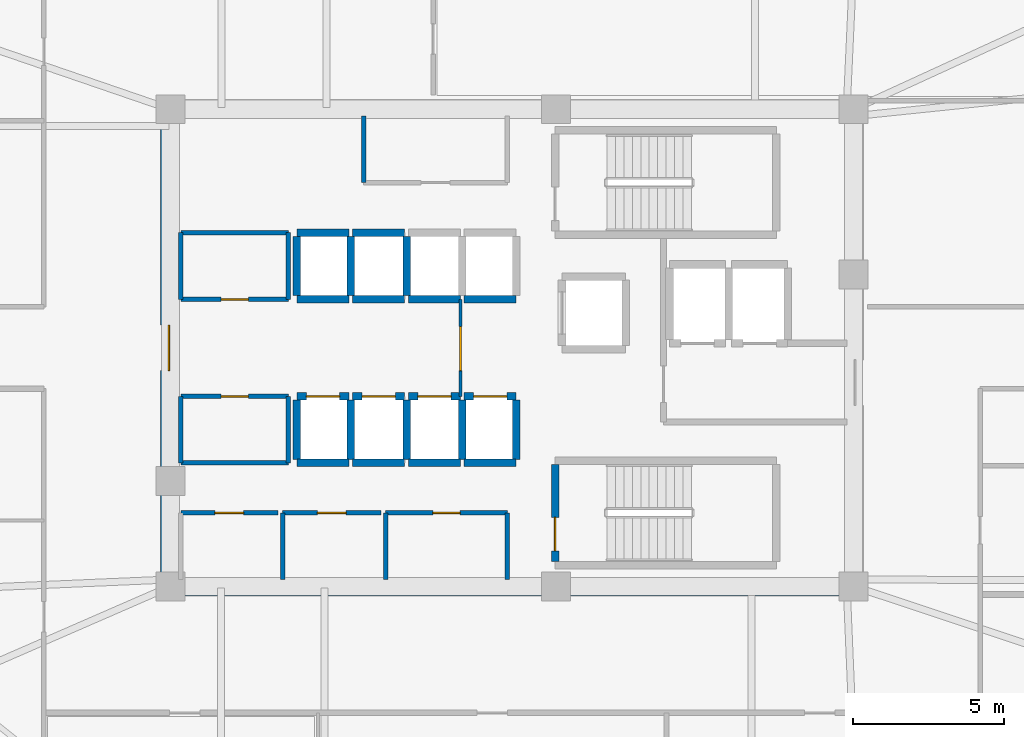
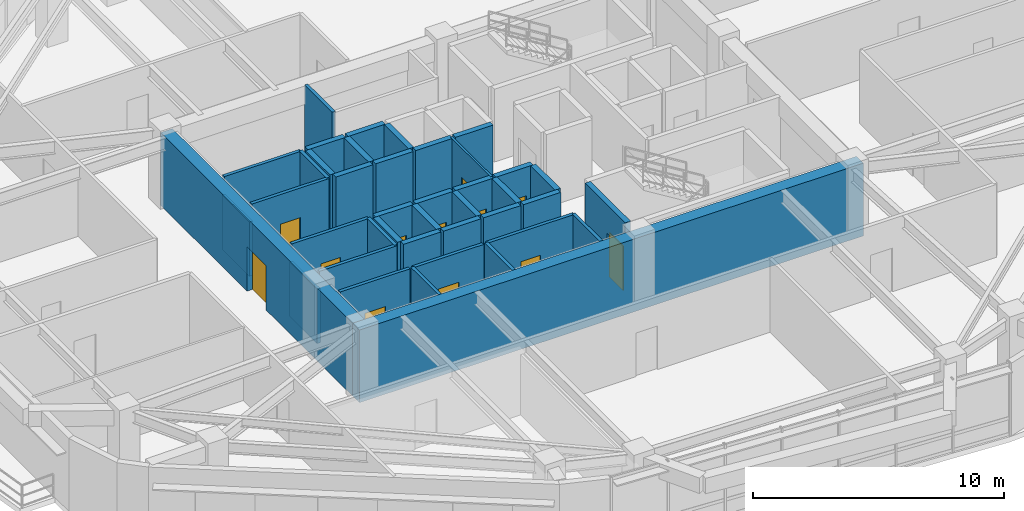
# One storey, part 9 of 14: 41 walls, 12 doors, 12 openings.
"""IFC4 building model written with IfcOpenShell, lengths in metres."""

from ifc_helpers import new_model, si_unit, direction, frame, frame_2d, origin, place, context, subcontext, project, spatial, rectangle, extrude, material, layer, layer_set, type_object, element, fill, save


model = new_model("IFC4")

# Units and contexts
model_context = context("Model", 3, precision=1e-05, world=origin(), true_north=direction((0.0, 1.0)))
body_context = subcontext(model_context, "Body", "Model", "MODEL_VIEW")
ifc_project = project(units=[si_unit("LENGTHUNIT", "METRE"), si_unit("AREAUNIT", "SQUARE_METRE"), si_unit("VOLUMEUNIT", "CUBIC_METRE"), si_unit("PLANEANGLEUNIT", "RADIAN"), si_unit("MASSUNIT", "GRAM", prefix="KILO")], contexts=[model_context])

# Site, building, storey
site_placement = place(None, origin())
site = spatial("IfcSite", under=ifc_project, at=site_placement, CompositionType="ELEMENT")
building_placement = place(site_placement, origin())
building = spatial("IfcBuilding", under=site, at=building_placement, Name="Zulverin Broadcast Headquarters", CompositionType="ELEMENT")
storey_placement = place(building_placement, frame((0.0, 0.0, 208.60009765625)))
storey = spatial("IfcBuildingStorey", under=building, at=storey_placement, Name="L53", CompositionType="ELEMENT", Elevation=208.60009765625)

# Wall
ifc_material_1 = material(Name="Concrete C60/75", Category="concrete")
ifc_layer_1 = layer(ifc_material_1, 0.550048828125, Name="Concrete C60/75", Category="concrete")
ifc_layer_set_1 = layer_set([ifc_layer_1], Name="Concrete C60/75")
wall_type_1 = type_object("IfcWallType", Name="WL-CORE-550", PredefinedType="SHEAR", material=ifc_layer_set_1)
wall_1_placement = place(storey_placement, frame((25.39990234375, 17.27490234375, 0.0), z_axis=(0.0, 0.0, 1.0), x_axis=(1.0, 0.0, 0.0)))
element("IfcWall", 1, at=wall_1_placement, inside=storey, type_object=wall_type_1, Name="L53 Core South Shear Wall", PredefinedType="SHEAR", context=body_context, shape_type="SweptSolid", body=[
    extrude(rectangle(XDim=23.2001953125, YDim=0.550048828125, at=frame_2d((11.60009765625, 0.0))), origin(), (0.0, 0.0, 1.0), 3.539794921875),
])

# Wall, opening, door
wall_2_placement = place(storey_placement, frame((25.675048828125, 17.550048828125, 0.0), z_axis=(0.0, 0.0, 1.0), x_axis=(0.0, 1.0, 0.0)))
wall_2 = element("IfcWall", 2, at=wall_2_placement, inside=storey, type_object=wall_type_1, Name="L53 Core West Shear Wall", PredefinedType="SHEAR", context=body_context, shape_type="SweptSolid", body=[
    extrude(rectangle(XDim=15.300048828125, YDim=0.550048828125, at=frame_2d((7.64990234375, 0.0))), origin(), (0.0, 0.0, 1.0), 3.539794921875),
])
opening_1_placement = place(wall_2_placement, frame((6.89990234375, 0.0, 0.0)))
opening_1 = element("IfcOpeningElement", 3, at=opening_1_placement, cuts=wall_2, Name="Opening D-L53-CW1", PredefinedType="OPENING", context=body_context, shape_type="SweptSolid", body=[
    extrude(rectangle(XDim=1.5, YDim=2.14990234375, at=frame_2d((0.75, 1.074951171875))), frame((0.0, 0.284912109375, 0.0), z_axis=(0.0, -1.0, 0.0), x_axis=(1.0, 0.0, 0.0)), (0.0, 0.0, 1.0), 0.570068359375),
])
ifc_material_2 = material(Name="Fire-rated glazed steel frame", Category="steel")
door_type_1 = type_object("IfcDoorType", Name="DR-COR-1500", OperationType="DOUBLE_DOOR_SINGLE_SWING", PredefinedType="DOOR", material=ifc_material_2)
door_1_placement = place(opening_1_placement, origin())
door_1 = element("IfcDoor", 4, at=door_1_placement, inside=storey, type_object=door_type_1, Name="L53 Central Lift Lobby West Portal Door", OperationType="DOUBLE_DOOR_SINGLE_SWING", OverallHeight=2.14990234375, OverallWidth=1.5, PredefinedType="DOOR", context=body_context, shape_type="SweptSolid", body=[
    extrude(rectangle(XDim=1.5, YDim=2.14990234375, at=frame_2d((0.75, 1.074951171875))), frame((0.0, 0.02490234375, 0.0), z_axis=(0.0, -1.0, 0.0), x_axis=(1.0, 0.0, 0.0)), (0.0, 0.0, 1.0), 0.050048828125),
])
fill(opening_1, door_1)

ifc_material_3 = material(Name="Fire-rated acoustic laminated glass screen", Category="glass")
ifc_layer_2 = layer(ifc_material_3, 0.10009765625, Name="Fire-rated acoustic laminated glass screen", Category="glass")
ifc_layer_set_2 = layer_set([ifc_layer_2], Name="Fire-rated acoustic laminated glass screen")
wall_type_2 = type_object("IfcWallType", Name="WL-GLAZ-100", PredefinedType="PARTITIONING", material=ifc_layer_set_2)
wall_3_placement = place(storey_placement, frame((35.300048828125, 23.60009765625, 0.0), z_axis=(0.0, 0.0, 1.0), x_axis=(0.0, 1.0, 0.0)))
wall_3 = element("IfcWall", 5, at=wall_3_placement, inside=storey, type_object=wall_type_2, Name="L53 Central Core Smoke Vestibule Screen", PredefinedType="PARTITIONING", context=body_context, shape_type="SweptSolid", body=[
    extrude(rectangle(XDim=3.199951171875, YDim=0.10009765625, at=frame_2d((1.60009765625, 0.0))), origin(), (0.0, 0.0, 1.0), 3.539794921875),
])
opening_2_placement = place(wall_3_placement, frame((0.85009765625, 0.0, 0.0)))
opening_2 = element("IfcOpeningElement", 6, at=opening_2_placement, cuts=wall_3, Name="Opening D-L53-CL2", PredefinedType="OPENING", context=body_context, shape_type="SweptSolid", body=[
    extrude(rectangle(XDim=1.449951171875, YDim=2.1201171875, at=frame_2d((0.72509765625, 1.06005859375))), frame((0.0, 0.06005859375, 0.0), z_axis=(0.0, -1.0, 0.0), x_axis=(1.0, 0.0, 0.0)), (0.0, 0.0, 1.0), 0.1201171875),
])
ifc_material_4 = material(Name="Fire-rated acoustic glazed double leaf", Category="glass")
door_type_2 = type_object("IfcDoorType", Name="DR-GLZ-1450", OperationType="DOUBLE_DOOR_SINGLE_SWING", PredefinedType="DOOR", material=ifc_material_4)
door_2_placement = place(opening_2_placement, origin())
door_2 = element("IfcDoor", 7, at=door_2_placement, inside=storey, type_object=door_type_2, Name="L53 Central Core Smoke Vestibule Door", OperationType="DOUBLE_DOOR_SINGLE_SWING", OverallHeight=2.1201171875, OverallWidth=1.449951171875, PredefinedType="DOOR", context=body_context, shape_type="SweptSolid", body=[
    extrude(rectangle(XDim=1.449951171875, YDim=2.1201171875, at=frame_2d((0.72509765625, 1.06005859375))), frame((0.0, 0.02490234375, 0.0), z_axis=(0.0, -1.0, 0.0), x_axis=(1.0, 0.0, 0.0)), (0.0, 0.0, 1.0), 0.050048828125),
])
fill(opening_2, door_2)

# Wall
ifc_material_5 = material(Name="Fire-rated gypsum stud partition", Category="gypsum")
ifc_layer_3 = layer(ifc_material_5, 0.14990234375, Name="Fire-rated gypsum stud partition", Category="gypsum")
ifc_layer_set_3 = layer_set([ifc_layer_3], Name="Fire-rated gypsum stud partition")
wall_type_3 = type_object("IfcWallType", Name="WL-PART-150", PredefinedType="PARTITIONING", material=ifc_layer_set_3)
wall_4_placement = place(storey_placement, frame((32.10009765625, 30.64990234375, 0.0), z_axis=(0.0, 0.0, 1.0), x_axis=(0.0, 1.0, 0.0)))
element("IfcWall", 8, at=wall_4_placement, inside=storey, type_object=wall_type_3, Name="L53 Core Accessible WC & Electrical Riser West Wall", PredefinedType="PARTITIONING", context=body_context, shape_type="SweptSolid", body=[
    extrude(rectangle(XDim=2.2001953125, YDim=0.14990234375, at=frame_2d((1.10009765625, 0.0))), origin(), (0.0, 0.0, 1.0), 3.539794921875),
])

# Wall, opening, door
wall_5_placement = place(storey_placement, frame((26.070068359375, 19.75, 0.0), z_axis=(0.0, 0.0, 1.0), x_axis=(1.0, 0.0, 0.0)))
wall_5 = element("IfcWall", 9, at=wall_5_placement, inside=storey, type_object=wall_type_3, Name="L53 Core Male WC Front Wall", PredefinedType="PARTITIONING", context=body_context, shape_type="SweptSolid", body=[
    extrude(rectangle(XDim=3.199951171875, YDim=0.14990234375, at=frame_2d((1.60009765625, 0.0))), origin(), (0.0, 0.0, 1.0), 3.539794921875),
])
opening_3_placement = place(wall_5_placement, frame((1.125, 0.0, 0.0)))
opening_3 = element("IfcOpeningElement", 10, at=opening_3_placement, cuts=wall_5, Name="Opening D-L53-SC1", PredefinedType="OPENING", context=body_context, shape_type="SweptSolid", body=[
    extrude(rectangle(XDim=0.949951171875, YDim=2.10009765625, at=frame_2d((0.47509765625, 1.050048828125))), frame((0.0, 0.0849609375, 0.0), z_axis=(0.0, -1.0, 0.0), x_axis=(1.0, 0.0, 0.0)), (0.0, 0.0, 1.0), 0.169921875),
])
ifc_material_6 = material(Name="Fire-rated moisture-resistant laminate leaf", Category="wood")
door_type_3 = type_object("IfcDoorType", Name="DR-WC-950", OperationType="SINGLE_SWING_LEFT", PredefinedType="DOOR", material=ifc_material_6)
door_3_placement = place(opening_3_placement, origin())
door_3 = element("IfcDoor", 11, at=door_3_placement, inside=storey, type_object=door_type_3, Name="L53 Male WC Door", OperationType="SINGLE_SWING_RIGHT", OverallHeight=2.10009765625, OverallWidth=0.949951171875, PredefinedType="DOOR", context=body_context, shape_type="SweptSolid", body=[
    extrude(rectangle(XDim=0.949951171875, YDim=2.10009765625, at=frame_2d((0.47509765625, 1.050048828125))), frame((0.0, 0.02490234375, 0.0), z_axis=(0.0, -1.0, 0.0), x_axis=(1.0, 0.0, 0.0)), (0.0, 0.0, 1.0), 0.050048828125),
])
fill(opening_3, door_3)

wall_6_placement = place(storey_placement, frame((29.429931640625, 19.75, 0.0), z_axis=(0.0, 0.0, 1.0), x_axis=(1.0, 0.0, 0.0)))
wall_6 = element("IfcWall", 12, at=wall_6_placement, inside=storey, type_object=wall_type_3, Name="L53 Core Female WC Front Wall", PredefinedType="PARTITIONING", context=body_context, shape_type="SweptSolid", body=[
    extrude(rectangle(XDim=3.239990234375, YDim=0.14990234375, at=frame_2d((1.6201171875, 0.0))), origin(), (0.0, 0.0, 1.0), 3.539794921875),
])
opening_4_placement = place(wall_6_placement, frame((1.14501953125, 0.0, 0.0)))
opening_4 = element("IfcOpeningElement", 13, at=opening_4_placement, cuts=wall_6, Name="Opening D-L53-SC2", PredefinedType="OPENING", context=body_context, shape_type="SweptSolid", body=[
    extrude(rectangle(XDim=0.949951171875, YDim=2.10009765625, at=frame_2d((0.47509765625, 1.050048828125))), frame((0.0, 0.0849609375, 0.0), z_axis=(0.0, -1.0, 0.0), x_axis=(1.0, 0.0, 0.0)), (0.0, 0.0, 1.0), 0.169921875),
])
door_4_placement = place(opening_4_placement, origin())
door_4 = element("IfcDoor", 14, at=door_4_placement, inside=storey, type_object=door_type_3, Name="L53 Female WC Door", OperationType="SINGLE_SWING_LEFT", OverallHeight=2.10009765625, OverallWidth=0.949951171875, PredefinedType="DOOR", context=body_context, shape_type="SweptSolid", body=[
    extrude(rectangle(XDim=0.949951171875, YDim=2.10009765625, at=frame_2d((0.47509765625, 1.050048828125))), frame((0.0, 0.02490234375, 0.0), z_axis=(0.0, -1.0, 0.0), x_axis=(1.0, 0.0, 0.0)), (0.0, 0.0, 1.0), 0.050048828125),
])
fill(opening_4, door_4)

# Wall
wall_7_placement = place(storey_placement, frame((29.429931640625, 17.550048828125, 0.0), z_axis=(0.0, 0.0, 1.0), x_axis=(0.0, 1.0, 0.0)))
element("IfcWall", 15, at=wall_7_placement, inside=storey, type_object=wall_type_3, Name="L53 Core Female WC West Wall", PredefinedType="PARTITIONING", context=body_context, shape_type="SweptSolid", body=[
    extrude(rectangle(XDim=2.199951171875, YDim=0.14990234375, at=frame_2d((1.10009765625, 0.0))), origin(), (0.0, 0.0, 1.0), 3.539794921875),
])

# Wall, opening, door
wall_8_placement = place(storey_placement, frame((32.830078125, 19.75, 0.0), z_axis=(0.0, 0.0, 1.0), x_axis=(1.0, 0.0, 0.0)))
wall_8 = element("IfcWall", 16, at=wall_8_placement, inside=storey, type_object=wall_type_3, Name="L53 Core Cleaner Store Front Wall", PredefinedType="PARTITIONING", context=body_context, shape_type="SweptSolid", body=[
    extrude(rectangle(XDim=4.02001953125, YDim=0.14990234375, at=frame_2d((2.010009765625, 0.0))), origin(), (0.0, 0.0, 1.0), 3.539794921875),
])
opening_5_placement = place(wall_8_placement, frame((1.56005859375, 0.0, 0.0)))
opening_5 = element("IfcOpeningElement", 17, at=opening_5_placement, cuts=wall_8, Name="Opening D-L53-SC3", PredefinedType="OPENING", context=body_context, shape_type="SweptSolid", body=[
    extrude(rectangle(XDim=0.89990234375, YDim=2.10009765625, at=frame_2d((0.449951171875, 1.050048828125))), frame((0.0, 0.0849609375, 0.0), z_axis=(0.0, -1.0, 0.0), x_axis=(1.0, 0.0, 0.0)), (0.0, 0.0, 1.0), 0.169921875),
])
ifc_material_7 = material(Name="Powder-coated steel access leaf", Category="steel")
door_type_4 = type_object("IfcDoorType", Name="DR-RISER-900", OperationType="SINGLE_SWING_LEFT", PredefinedType="DOOR", material=ifc_material_7)
door_5_placement = place(opening_5_placement, origin())
door_5 = element("IfcDoor", 18, at=door_5_placement, inside=storey, type_object=door_type_4, Name="L53 Cleaner Store Door", OperationType="SINGLE_SWING_RIGHT", OverallHeight=2.10009765625, OverallWidth=0.89990234375, PredefinedType="DOOR", context=body_context, shape_type="SweptSolid", body=[
    extrude(rectangle(XDim=0.89990234375, YDim=2.10009765625, at=frame_2d((0.449951171875, 1.050048828125))), frame((0.0, 0.02490234375, 0.0), z_axis=(0.0, -1.0, 0.0), x_axis=(1.0, 0.0, 0.0)), (0.0, 0.0, 1.0), 0.050048828125),
])
fill(opening_5, door_5)

# Walls
for number, where, z_axis, x_axis, name in (
    (19, (32.830078125, 17.550048828125, 0.0), (0.0, 0.0, 1.0), (0.0, 1.0, 0.0), "L53 Core Cleaner Store West Wall"),
    (20, (36.85009765625, 17.550048828125, 0.0), (0.0, 0.0, 1.0), (0.0, 1.0, 0.0), "L53 Core Cleaner Store East Wall"),
):
    element("IfcWall", number, at=place(storey_placement, frame(where, z_axis=z_axis, x_axis=x_axis)), inside=storey, type_object=wall_type_3, Name=name, PredefinedType="PARTITIONING", context=body_context, shape_type="SweptSolid", body=[
        extrude(rectangle(XDim=2.199951171875, YDim=0.14990234375, at=frame_2d((1.10009765625, 0.0))), origin(), (0.0, 0.0, 1.0), 3.539794921875),
    ])

# Wall, opening, door
wall_9_placement = place(storey_placement, frame((26.070068359375, 26.800048828125, 0.0), z_axis=(0.0, 0.0, 1.0), x_axis=(1.0, 0.0, 0.0)))
wall_9 = element("IfcWall", 21, at=wall_9_placement, inside=storey, type_object=wall_type_3, Name="L53 Broadcast Signal Patch Room S Wall", PredefinedType="PARTITIONING", context=body_context, shape_type="SweptSolid", body=[
    extrude(rectangle(XDim=3.550048828125, YDim=0.14990234375, at=frame_2d((1.77490234375, 0.0))), origin(), (0.0, 0.0, 1.0), 3.539794921875),
])
opening_6_placement = place(wall_9_placement, frame((1.324951171875, 0.0, 0.0)))
opening_6 = element("IfcOpeningElement", 22, at=opening_6_placement, cuts=wall_9, Name="Opening D-L53-RCLN", PredefinedType="OPENING", context=body_context, shape_type="SweptSolid", body=[
    extrude(rectangle(XDim=0.89990234375, YDim=2.10009765625, at=frame_2d((0.449951171875, 1.050048828125))), frame((0.0, 0.0849609375, 0.0), z_axis=(0.0, -1.0, 0.0), x_axis=(1.0, 0.0, 0.0)), (0.0, 0.0, 1.0), 0.169921875),
])
door_6_placement = place(opening_6_placement, origin())
door_6 = element("IfcDoor", 23, at=door_6_placement, inside=storey, type_object=door_type_4, Name="L53 Broadcast Signal Patch Room Door", OperationType="SINGLE_SWING_LEFT", OverallHeight=2.10009765625, OverallWidth=0.89990234375, PredefinedType="DOOR", context=body_context, shape_type="SweptSolid", body=[
    extrude(rectangle(XDim=0.89990234375, YDim=2.10009765625, at=frame_2d((0.449951171875, 1.050048828125))), frame((0.0, 0.02490234375, 0.0), z_axis=(0.0, -1.0, 0.0), x_axis=(1.0, 0.0, 0.0)), (0.0, 0.0, 1.0), 0.050048828125),
])
fill(opening_6, door_6)

# Walls
wall_10_placement = place(storey_placement, frame((26.070068359375, 29.0, 0.0), z_axis=(0.0, 0.0, 1.0), x_axis=(1.0, 0.0, 0.0)))
element("IfcWall", 24, at=wall_10_placement, inside=storey, type_object=wall_type_3, Name="L53 Broadcast Signal Patch Room N Wall", PredefinedType="PARTITIONING", context=body_context, shape_type="SweptSolid", body=[
    extrude(rectangle(XDim=3.550048828125, YDim=0.14990234375, at=frame_2d((1.77490234375, 0.0))), origin(), (0.0, 0.0, 1.0), 3.539794921875),
])
wall_11_placement = place(storey_placement, frame((26.070068359375, 26.800048828125, 0.0), z_axis=(0.0, 0.0, 1.0), x_axis=(0.0, 1.0, 0.0)))
element("IfcWall", 25, at=wall_11_placement, inside=storey, type_object=wall_type_3, Name="L53 Broadcast Signal Patch Room W Wall", PredefinedType="PARTITIONING", context=body_context, shape_type="SweptSolid", body=[
    extrude(rectangle(XDim=2.199951171875, YDim=0.14990234375, at=frame_2d((1.10009765625, 0.0))), origin(), (0.0, 0.0, 1.0), 2.639892578125),
])
wall_12_placement = place(storey_placement, frame((29.6201171875, 26.800048828125, 0.0), z_axis=(0.0, 0.0, 1.0), x_axis=(0.0, 1.0, 0.0)))
element("IfcWall", 26, at=wall_12_placement, inside=storey, type_object=wall_type_3, Name="L53 Broadcast Signal Patch Room E Wall", PredefinedType="PARTITIONING", context=body_context, shape_type="SweptSolid", body=[
    extrude(rectangle(XDim=2.199951171875, YDim=0.14990234375, at=frame_2d((1.10009765625, 0.0))), origin(), (0.0, 0.0, 1.0), 3.539794921875),
])
wall_13_placement = place(storey_placement, frame((26.070068359375, 21.39990234375, 0.0), z_axis=(0.0, 0.0, 1.0), x_axis=(1.0, 0.0, 0.0)))
element("IfcWall", 27, at=wall_13_placement, inside=storey, type_object=wall_type_3, Name="L53 Housekeeping Equipment Store S Wall", PredefinedType="PARTITIONING", context=body_context, shape_type="SweptSolid", body=[
    extrude(rectangle(XDim=3.550048828125, YDim=0.14990234375, at=frame_2d((1.77490234375, 0.0))), origin(), (0.0, 0.0, 1.0), 3.539794921875),
])

# Wall, opening, door
wall_14_placement = place(storey_placement, frame((26.070068359375, 23.60009765625, 0.0), z_axis=(0.0, 0.0, 1.0), x_axis=(1.0, 0.0, 0.0)))
wall_14 = element("IfcWall", 28, at=wall_14_placement, inside=storey, type_object=wall_type_3, Name="L53 Housekeeping Equipment Store N Wall", PredefinedType="PARTITIONING", context=body_context, shape_type="SweptSolid", body=[
    extrude(rectangle(XDim=3.550048828125, YDim=0.14990234375, at=frame_2d((1.77490234375, 0.0))), origin(), (0.0, 0.0, 1.0), 3.539794921875),
])
opening_7_placement = place(wall_14_placement, frame((1.324951171875, 0.0, 0.0)))
opening_7 = element("IfcOpeningElement", 29, at=opening_7_placement, cuts=wall_14, Name="Opening D-L53-RCLS", PredefinedType="OPENING", context=body_context, shape_type="SweptSolid", body=[
    extrude(rectangle(XDim=0.89990234375, YDim=2.10009765625, at=frame_2d((0.449951171875, 1.050048828125))), frame((0.0, 0.0849609375, 0.0), z_axis=(0.0, -1.0, 0.0), x_axis=(1.0, 0.0, 0.0)), (0.0, 0.0, 1.0), 0.169921875),
])
door_7_placement = place(opening_7_placement, origin())
door_7 = element("IfcDoor", 30, at=door_7_placement, inside=storey, type_object=door_type_4, Name="L53 Housekeeping Equipment Store Door", OperationType="SINGLE_SWING_RIGHT", OverallHeight=2.10009765625, OverallWidth=0.89990234375, PredefinedType="DOOR", context=body_context, shape_type="SweptSolid", body=[
    extrude(rectangle(XDim=0.89990234375, YDim=2.10009765625, at=frame_2d((0.449951171875, 1.050048828125))), frame((0.0, 0.02490234375, 0.0), z_axis=(0.0, -1.0, 0.0), x_axis=(1.0, 0.0, 0.0)), (0.0, 0.0, 1.0), 0.050048828125),
])
fill(opening_7, door_7)

# Walls
wall_15_placement = place(storey_placement, frame((26.070068359375, 21.39990234375, 0.0), z_axis=(0.0, 0.0, 1.0), x_axis=(0.0, 1.0, 0.0)))
element("IfcWall", 31, at=wall_15_placement, inside=storey, type_object=wall_type_3, Name="L53 Housekeeping Equipment Store W Wall", PredefinedType="PARTITIONING", context=body_context, shape_type="SweptSolid", body=[
    extrude(rectangle(XDim=2.2001953125, YDim=0.14990234375, at=frame_2d((1.10009765625, 0.0))), origin(), (0.0, 0.0, 1.0), 2.639892578125),
])
wall_16_placement = place(storey_placement, frame((29.6201171875, 21.39990234375, 0.0), z_axis=(0.0, 0.0, 1.0), x_axis=(0.0, 1.0, 0.0)))
element("IfcWall", 32, at=wall_16_placement, inside=storey, type_object=wall_type_3, Name="L53 Housekeeping Equipment Store E Wall", PredefinedType="PARTITIONING", context=body_context, shape_type="SweptSolid", body=[
    extrude(rectangle(XDim=2.2001953125, YDim=0.14990234375, at=frame_2d((1.10009765625, 0.0))), origin(), (0.0, 0.0, 1.0), 3.539794921875),
])

# Wall, opening, door
ifc_material_8 = material(Name="Concrete C50/60", Category="concrete")
ifc_layer_4 = layer(ifc_material_8, 0.25, Name="Concrete C50/60", Category="concrete")
ifc_layer_set_4 = layer_set([ifc_layer_4], Name="Concrete C50/60")
wall_type_4 = type_object("IfcWallType", Name="WL-SHAFT-250", PredefinedType="SHEAR", material=ifc_layer_set_4)
wall_17_placement = place(storey_placement, frame((38.425048828125, 18.14990234375, 0.0), z_axis=(0.0, 0.0, 1.0), x_axis=(0.0, 1.0, 0.0)))
wall_17 = element("IfcWall", 33, at=wall_17_placement, inside=storey, type_object=wall_type_4, Name="L53 ST-2 Enclosure Wall W", PredefinedType="SHEAR", context=body_context, shape_type="SweptSolid", body=[
    extrude(rectangle(XDim=3.2001953125, YDim=0.25, at=frame_2d((1.60009765625, 0.0))), origin(), (0.0, 0.0, 1.0), 3.539794921875),
])
opening_8_placement = place(wall_17_placement, frame((0.35009765625, 0.0, 0.0)))
opening_8 = element("IfcOpeningElement", 34, at=opening_8_placement, cuts=wall_17, Name="Opening D-L53-ST-2", PredefinedType="OPENING", context=body_context, shape_type="SweptSolid", body=[
    extrude(rectangle(XDim=1.10009765625, YDim=2.14990234375, at=frame_2d((0.550048828125, 1.074951171875))), frame((0.0, 0.135009765625, 0.0), z_axis=(0.0, -1.0, 0.0), x_axis=(1.0, 0.0, 0.0)), (0.0, 0.0, 1.0), 0.27001953125),
])
ifc_material_9 = material(Name="Fire-rated steel leaf and frame", Category="steel")
door_type_5 = type_object("IfcDoorType", Name="DR-STAIR-1100", OperationType="SINGLE_SWING_LEFT", PredefinedType="DOOR", material=ifc_material_9)
door_8_placement = place(opening_8_placement, origin())
door_8 = element("IfcDoor", 35, at=door_8_placement, inside=storey, type_object=door_type_5, Name="L53 Exit Stair ST-2 Fire Door", OperationType="SINGLE_SWING_RIGHT", OverallHeight=2.14990234375, OverallWidth=1.10009765625, PredefinedType="DOOR", context=body_context, shape_type="SweptSolid", body=[
    extrude(rectangle(XDim=1.10009765625, YDim=2.14990234375, at=frame_2d((0.550048828125, 1.074951171875))), frame((0.0, 0.02490234375, 0.0), z_axis=(0.0, -1.0, 0.0), x_axis=(1.0, 0.0, 0.0)), (0.0, 0.0, 1.0), 0.050048828125),
])
fill(opening_8, door_8)

# Wall
wall_18_placement = place(storey_placement, frame((29.89990234375, 21.39990234375, 0.0), z_axis=(0.0, 0.0, 1.0), x_axis=(1.0, 0.0, 0.0)))
element("IfcWall", 36, at=wall_18_placement, inside=storey, type_object=wall_type_4, Name="L53 Lift PL-M1 Shaft Wall S", PredefinedType="SHEAR", context=body_context, shape_type="SweptSolid", body=[
    extrude(rectangle(XDim=1.72021484375, YDim=0.25, at=frame_2d((0.860107421875, 0.0))), origin(), (0.0, 0.0, 1.0), 3.539794921875),
])

# Wall, opening, door
wall_19_placement = place(storey_placement, frame((29.89990234375, 23.60009765625, 0.0), z_axis=(0.0, 0.0, 1.0), x_axis=(1.0, 0.0, 0.0)))
wall_19 = element("IfcWall", 37, at=wall_19_placement, inside=storey, type_object=wall_type_4, Name="L53 Lift PL-M1 Shaft Wall N", PredefinedType="SHEAR", context=body_context, shape_type="SweptSolid", body=[
    extrude(rectangle(XDim=1.72021484375, YDim=0.25, at=frame_2d((0.860107421875, 0.0))), origin(), (0.0, 0.0, 1.0), 3.539794921875),
])
opening_9_placement = place(wall_19_placement, frame((0.31005859375, 0.0, 0.0)))
opening_9 = element("IfcOpeningElement", 38, at=opening_9_placement, cuts=wall_19, Name="Opening LD-PL-M1-L53", PredefinedType="OPENING", context=body_context, shape_type="SweptSolid", body=[
    extrude(rectangle(XDim=1.10009765625, YDim=2.14990234375, at=frame_2d((0.550048828125, 1.074951171875))), frame((0.0, 0.135009765625, 0.0), z_axis=(0.0, -1.0, 0.0), x_axis=(1.0, 0.0, 0.0)), (0.0, 0.0, 1.0), 0.27001953125),
])
ifc_material_10 = material(Name="Brushed stainless steel landing", Category="steel")
door_type_6 = type_object("IfcDoorType", Name="LD-PASS-1100", OperationType="DOUBLE_DOOR_SLIDING", PredefinedType="DOOR", material=ifc_material_10)
door_9_placement = place(opening_9_placement, origin())
door_9 = element("IfcDoor", 39, at=door_9_placement, inside=storey, type_object=door_type_6, Name="L53 Lift PL-M1 Sliding Landing Door", OperationType="DOUBLE_DOOR_SLIDING", OverallHeight=2.14990234375, OverallWidth=1.10009765625, PredefinedType="DOOR", context=body_context, shape_type="SweptSolid", body=[
    extrude(rectangle(XDim=1.10009765625, YDim=2.14990234375, at=frame_2d((0.550048828125, 1.074951171875))), frame((0.0, 0.02490234375, 0.0), z_axis=(0.0, -1.0, 0.0), x_axis=(1.0, 0.0, 0.0)), (0.0, 0.0, 1.0), 0.050048828125),
])
fill(opening_9, door_9)

# Walls
for number, where, z_axis, x_axis, name in (
    (40, (29.89990234375, 21.52001953125, 0.0), (0.0, 0.0, 1.0), (0.0, 1.0, 0.0), "L53 Lift PL-M1 Shaft Wall W"),
    (41, (31.679931640625, 21.52001953125, 0.0), (0.0, 0.0, 1.0), (0.0, 1.0, 0.0), "L53 Lift PL-M1 Shaft Wall E"),
):
    element("IfcWall", number, at=place(storey_placement, frame(where, z_axis=z_axis, x_axis=x_axis)), inside=storey, type_object=wall_type_4, Name=name, PredefinedType="SHEAR", context=body_context, shape_type="SweptSolid", body=[
        extrude(rectangle(XDim=1.9599609375, YDim=0.25, at=frame_2d((0.97998046875, 0.0))), origin(), (0.0, 0.0, 1.0), 3.539794921875),
    ])
wall_20_placement = place(storey_placement, frame((31.739990234375, 21.39990234375, 0.0), z_axis=(0.0, 0.0, 1.0), x_axis=(1.0, 0.0, 0.0)))
element("IfcWall", 42, at=wall_20_placement, inside=storey, type_object=wall_type_4, Name="L53 Lift PL-M2 Shaft Wall S", PredefinedType="SHEAR", context=body_context, shape_type="SweptSolid", body=[
    extrude(rectangle(XDim=1.719970703125, YDim=0.25, at=frame_2d((0.85986328125, 0.0))), origin(), (0.0, 0.0, 1.0), 3.539794921875),
])

# Wall, opening, door
wall_21_placement = place(storey_placement, frame((31.739990234375, 23.60009765625, 0.0), z_axis=(0.0, 0.0, 1.0), x_axis=(1.0, 0.0, 0.0)))
wall_21 = element("IfcWall", 43, at=wall_21_placement, inside=storey, type_object=wall_type_4, Name="L53 Lift PL-M2 Shaft Wall N", PredefinedType="SHEAR", context=body_context, shape_type="SweptSolid", body=[
    extrude(rectangle(XDim=1.719970703125, YDim=0.25, at=frame_2d((0.85986328125, 0.0))), origin(), (0.0, 0.0, 1.0), 3.539794921875),
])
opening_10_placement = place(wall_21_placement, frame((0.31005859375, 0.0, 0.0)))
opening_10 = element("IfcOpeningElement", 44, at=opening_10_placement, cuts=wall_21, Name="Opening LD-PL-M2-L53", PredefinedType="OPENING", context=body_context, shape_type="SweptSolid", body=[
    extrude(rectangle(XDim=1.10009765625, YDim=2.14990234375, at=frame_2d((0.550048828125, 1.074951171875))), frame((0.0, 0.135009765625, 0.0), z_axis=(0.0, -1.0, 0.0), x_axis=(1.0, 0.0, 0.0)), (0.0, 0.0, 1.0), 0.27001953125),
])
door_10_placement = place(opening_10_placement, origin())
door_10 = element("IfcDoor", 45, at=door_10_placement, inside=storey, type_object=door_type_6, Name="L53 Lift PL-M2 Sliding Landing Door", OperationType="DOUBLE_DOOR_SLIDING", OverallHeight=2.14990234375, OverallWidth=1.10009765625, PredefinedType="DOOR", context=body_context, shape_type="SweptSolid", body=[
    extrude(rectangle(XDim=1.10009765625, YDim=2.14990234375, at=frame_2d((0.550048828125, 1.074951171875))), frame((0.0, 0.02490234375, 0.0), z_axis=(0.0, -1.0, 0.0), x_axis=(1.0, 0.0, 0.0)), (0.0, 0.0, 1.0), 0.050048828125),
])
fill(opening_10, door_10)

# Walls
wall_22_placement = place(storey_placement, frame((33.52001953125, 21.52001953125, 0.0), z_axis=(0.0, 0.0, 1.0), x_axis=(0.0, 1.0, 0.0)))
element("IfcWall", 46, at=wall_22_placement, inside=storey, type_object=wall_type_4, Name="L53 Lift PL-M2 Shaft Wall E", PredefinedType="SHEAR", context=body_context, shape_type="SweptSolid", body=[
    extrude(rectangle(XDim=1.9599609375, YDim=0.25, at=frame_2d((0.97998046875, 0.0))), origin(), (0.0, 0.0, 1.0), 3.539794921875),
])
wall_23_placement = place(storey_placement, frame((33.580078125, 21.39990234375, 0.0), z_axis=(0.0, 0.0, 1.0), x_axis=(1.0, 0.0, 0.0)))
element("IfcWall", 47, at=wall_23_placement, inside=storey, type_object=wall_type_4, Name="L53 Lift PL-M3 Shaft Wall S", PredefinedType="SHEAR", context=body_context, shape_type="SweptSolid", body=[
    extrude(rectangle(XDim=1.719970703125, YDim=0.25, at=frame_2d((0.85986328125, 0.0))), origin(), (0.0, 0.0, 1.0), 3.539794921875),
])

# Wall, opening, door
wall_24_placement = place(storey_placement, frame((33.580078125, 23.60009765625, 0.0), z_axis=(0.0, 0.0, 1.0), x_axis=(1.0, 0.0, 0.0)))
wall_24 = element("IfcWall", 48, at=wall_24_placement, inside=storey, type_object=wall_type_4, Name="L53 Lift PL-M3 Shaft Wall N", PredefinedType="SHEAR", context=body_context, shape_type="SweptSolid", body=[
    extrude(rectangle(XDim=1.719970703125, YDim=0.25, at=frame_2d((0.85986328125, 0.0))), origin(), (0.0, 0.0, 1.0), 3.539794921875),
])
opening_11_placement = place(wall_24_placement, frame((0.31005859375, 0.0, 0.0)))
opening_11 = element("IfcOpeningElement", 49, at=opening_11_placement, cuts=wall_24, Name="Opening LD-PL-M3-L53", PredefinedType="OPENING", context=body_context, shape_type="SweptSolid", body=[
    extrude(rectangle(XDim=1.10009765625, YDim=2.14990234375, at=frame_2d((0.550048828125, 1.074951171875))), frame((0.0, 0.135009765625, 0.0), z_axis=(0.0, -1.0, 0.0), x_axis=(1.0, 0.0, 0.0)), (0.0, 0.0, 1.0), 0.27001953125),
])
door_11_placement = place(opening_11_placement, origin())
door_11 = element("IfcDoor", 50, at=door_11_placement, inside=storey, type_object=door_type_6, Name="L53 Lift PL-M3 Sliding Landing Door", OperationType="DOUBLE_DOOR_SLIDING", OverallHeight=2.14990234375, OverallWidth=1.10009765625, PredefinedType="DOOR", context=body_context, shape_type="SweptSolid", body=[
    extrude(rectangle(XDim=1.10009765625, YDim=2.14990234375, at=frame_2d((0.550048828125, 1.074951171875))), frame((0.0, 0.02490234375, 0.0), z_axis=(0.0, -1.0, 0.0), x_axis=(1.0, 0.0, 0.0)), (0.0, 0.0, 1.0), 0.050048828125),
])
fill(opening_11, door_11)

# Walls
wall_25_placement = place(storey_placement, frame((35.360107421875, 21.52001953125, 0.0), z_axis=(0.0, 0.0, 1.0), x_axis=(0.0, 1.0, 0.0)))
element("IfcWall", 51, at=wall_25_placement, inside=storey, type_object=wall_type_4, Name="L53 Lift PL-M3 Shaft Wall E", PredefinedType="SHEAR", context=body_context, shape_type="SweptSolid", body=[
    extrude(rectangle(XDim=1.9599609375, YDim=0.25, at=frame_2d((0.97998046875, 0.0))), origin(), (0.0, 0.0, 1.0), 3.539794921875),
])
wall_26_placement = place(storey_placement, frame((35.419921875, 21.39990234375, 0.0), z_axis=(0.0, 0.0, 1.0), x_axis=(1.0, 0.0, 0.0)))
element("IfcWall", 52, at=wall_26_placement, inside=storey, type_object=wall_type_4, Name="L53 Lift PL-M4 Shaft Wall S", PredefinedType="SHEAR", context=body_context, shape_type="SweptSolid", body=[
    extrude(rectangle(XDim=1.719970703125, YDim=0.25, at=frame_2d((0.85986328125, 0.0))), origin(), (0.0, 0.0, 1.0), 3.539794921875),
])

# Wall, opening, door
wall_27_placement = place(storey_placement, frame((35.419921875, 23.60009765625, 0.0), z_axis=(0.0, 0.0, 1.0), x_axis=(1.0, 0.0, 0.0)))
wall_27 = element("IfcWall", 53, at=wall_27_placement, inside=storey, type_object=wall_type_4, Name="L53 Lift PL-M4 Shaft Wall N", PredefinedType="SHEAR", context=body_context, shape_type="SweptSolid", body=[
    extrude(rectangle(XDim=1.719970703125, YDim=0.25, at=frame_2d((0.85986328125, 0.0))), origin(), (0.0, 0.0, 1.0), 3.539794921875),
])
opening_12_placement = place(wall_27_placement, frame((0.31005859375, 0.0, 0.0)))
opening_12 = element("IfcOpeningElement", 54, at=opening_12_placement, cuts=wall_27, Name="Opening LD-PL-M4-L53", PredefinedType="OPENING", context=body_context, shape_type="SweptSolid", body=[
    extrude(rectangle(XDim=1.10009765625, YDim=2.14990234375, at=frame_2d((0.550048828125, 1.074951171875))), frame((0.0, 0.135009765625, 0.0), z_axis=(0.0, -1.0, 0.0), x_axis=(1.0, 0.0, 0.0)), (0.0, 0.0, 1.0), 0.27001953125),
])
door_12_placement = place(opening_12_placement, origin())
door_12 = element("IfcDoor", 55, at=door_12_placement, inside=storey, type_object=door_type_6, Name="L53 Lift PL-M4 Sliding Landing Door", OperationType="DOUBLE_DOOR_SLIDING", OverallHeight=2.14990234375, OverallWidth=1.10009765625, PredefinedType="DOOR", context=body_context, shape_type="SweptSolid", body=[
    extrude(rectangle(XDim=1.10009765625, YDim=2.14990234375, at=frame_2d((0.550048828125, 1.074951171875))), frame((0.0, 0.02490234375, 0.0), z_axis=(0.0, -1.0, 0.0), x_axis=(1.0, 0.0, 0.0)), (0.0, 0.0, 1.0), 0.050048828125),
])
fill(opening_12, door_12)

# Walls
wall_28_placement = place(storey_placement, frame((37.139892578125, 21.52001953125, 0.0), z_axis=(0.0, 0.0, 1.0), x_axis=(0.0, 1.0, 0.0)))
element("IfcWall", 56, at=wall_28_placement, inside=storey, type_object=wall_type_4, Name="L53 Lift PL-M4 Shaft Wall E", PredefinedType="SHEAR", context=body_context, shape_type="SweptSolid", body=[
    extrude(rectangle(XDim=1.9599609375, YDim=0.25, at=frame_2d((0.97998046875, 0.0))), origin(), (0.0, 0.0, 1.0), 3.539794921875),
])
for number, where, z_axis, x_axis, name in (
    (57, (29.89990234375, 26.800048828125, 0.0), (0.0, 0.0, 1.0), (1.0, 0.0, 0.0), "L53 Lift PL-H1 Shaft Wall S"),
    (58, (29.89990234375, 29.0, 0.0), (0.0, 0.0, 1.0), (1.0, 0.0, 0.0), "L53 Lift PL-H1 Shaft Wall N"),
):
    element("IfcWall", number, at=place(storey_placement, frame(where, z_axis=z_axis, x_axis=x_axis)), inside=storey, type_object=wall_type_4, Name=name, PredefinedType="SHEAR", context=body_context, shape_type="SweptSolid", body=[
        extrude(rectangle(XDim=1.72021484375, YDim=0.25, at=frame_2d((0.860107421875, 0.0))), origin(), (0.0, 0.0, 1.0), 3.539794921875),
    ])
for number, where, z_axis, x_axis, name in (
    (59, (29.89990234375, 26.919921875, 0.0), (0.0, 0.0, 1.0), (0.0, 1.0, 0.0), "L53 Lift PL-H1 Shaft Wall W"),
    (60, (31.679931640625, 26.919921875, 0.0), (0.0, 0.0, 1.0), (0.0, 1.0, 0.0), "L53 Lift PL-H1 Shaft Wall E"),
):
    element("IfcWall", number, at=place(storey_placement, frame(where, z_axis=z_axis, x_axis=x_axis)), inside=storey, type_object=wall_type_4, Name=name, PredefinedType="SHEAR", context=body_context, shape_type="SweptSolid", body=[
        extrude(rectangle(XDim=1.9599609375, YDim=0.25, at=frame_2d((0.97998046875, 0.0))), origin(), (0.0, 0.0, 1.0), 3.539794921875),
    ])
for number, where, z_axis, x_axis, name in (
    (61, (31.739990234375, 26.800048828125, 0.0), (0.0, 0.0, 1.0), (1.0, 0.0, 0.0), "L53 Lift PL-H2 Shaft Wall S"),
    (62, (31.739990234375, 29.0, 0.0), (0.0, 0.0, 1.0), (1.0, 0.0, 0.0), "L53 Lift PL-H2 Shaft Wall N"),
):
    element("IfcWall", number, at=place(storey_placement, frame(where, z_axis=z_axis, x_axis=x_axis)), inside=storey, type_object=wall_type_4, Name=name, PredefinedType="SHEAR", context=body_context, shape_type="SweptSolid", body=[
        extrude(rectangle(XDim=1.719970703125, YDim=0.25, at=frame_2d((0.85986328125, 0.0))), origin(), (0.0, 0.0, 1.0), 3.539794921875),
    ])
wall_29_placement = place(storey_placement, frame((33.52001953125, 26.919921875, 0.0), z_axis=(0.0, 0.0, 1.0), x_axis=(0.0, 1.0, 0.0)))
element("IfcWall", 63, at=wall_29_placement, inside=storey, type_object=wall_type_4, Name="L53 Lift PL-H2 Shaft Wall E", PredefinedType="SHEAR", context=body_context, shape_type="SweptSolid", body=[
    extrude(rectangle(XDim=1.9599609375, YDim=0.25, at=frame_2d((0.97998046875, 0.0))), origin(), (0.0, 0.0, 1.0), 3.539794921875),
])
for number, where, z_axis, x_axis, name in (
    (64, (33.580078125, 26.800048828125, 0.0), (0.0, 0.0, 1.0), (1.0, 0.0, 0.0), "L53 Lift PL-H3 Shaft Wall S"),
    (65, (35.419921875, 26.800048828125, 0.0), (0.0, 0.0, 1.0), (1.0, 0.0, 0.0), "L53 Lift PL-H4 Shaft Wall S"),
):
    element("IfcWall", number, at=place(storey_placement, frame(where, z_axis=z_axis, x_axis=x_axis)), inside=storey, type_object=wall_type_4, Name=name, PredefinedType="SHEAR", context=body_context, shape_type="SweptSolid", body=[
        extrude(rectangle(XDim=1.719970703125, YDim=0.25, at=frame_2d((0.85986328125, 0.0))), origin(), (0.0, 0.0, 1.0), 3.539794921875),
    ])

save(model, "model.ifc")
